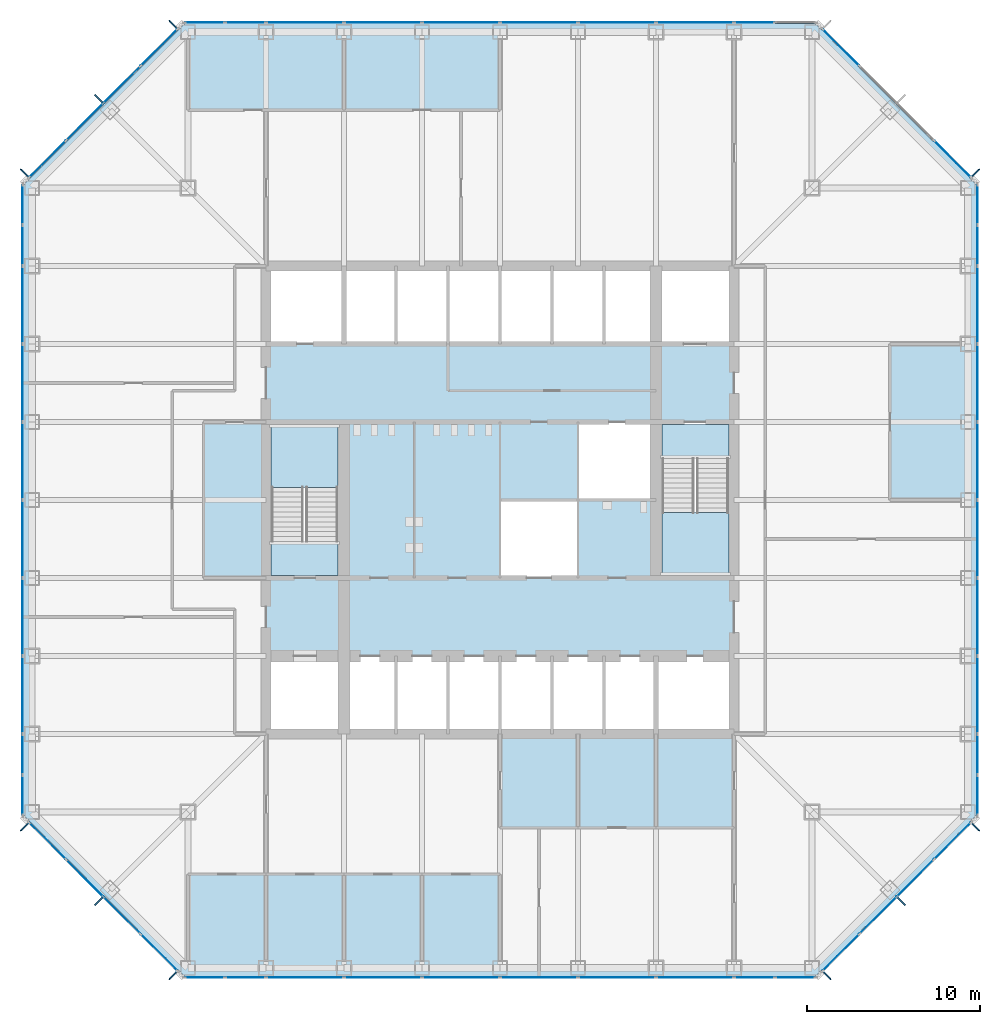
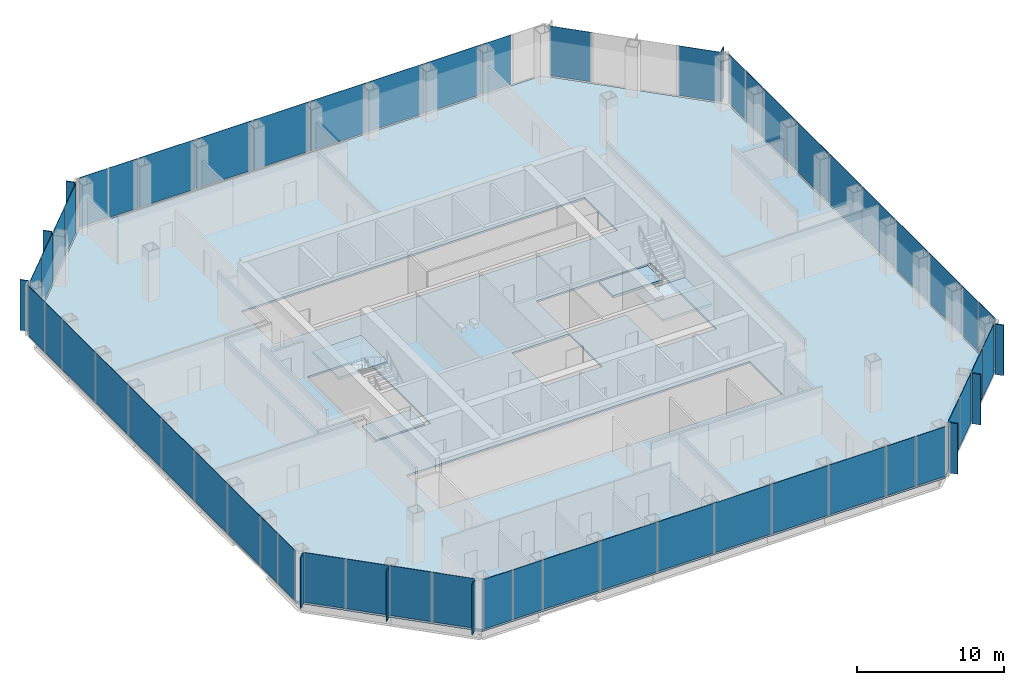
# One storey, part 7 of 12: 63 plates, 5 slabs, 10 elements without a shape of their own.
"""IFC4 building model written with IfcOpenShell, lengths in metres."""

from ifc_helpers import new_model, si_unit, direction, frame, origin, origin_2d, place, context, subcontext, project, spatial, polyline, rectangle, outline, extrude, material, layer, layer_set, type_object, element, aggregate, save


model = new_model("IFC4")

# Units and contexts
model_context = context("Model", 3, precision=1e-05, world=origin(), true_north=direction((0.0, 1.0)))
body_context = subcontext(model_context, "Body", "Model", "MODEL_VIEW")
ifc_project = project(units=[si_unit("LENGTHUNIT", "METRE"), si_unit("AREAUNIT", "SQUARE_METRE"), si_unit("VOLUMEUNIT", "CUBIC_METRE"), si_unit("PLANEANGLEUNIT", "RADIAN"), si_unit("MASSUNIT", "GRAM", prefix="KILO")], contexts=[model_context])

# Site, building, storey
site_placement = place(None, origin())
site = spatial("IfcSite", under=ifc_project, at=site_placement, CompositionType="ELEMENT")
building_placement = place(site_placement, origin())
building = spatial("IfcBuilding", under=site, at=building_placement, Name="Corais Broadcast Tower", CompositionType="ELEMENT")
storey_placement = place(building_placement, frame((0.0, 0.0, 100.39990234375)))
storey = spatial("IfcBuildingStorey", under=building, at=storey_placement, Name="L22", CompositionType="ELEMENT", Elevation=100.39990234375)

# Slab
ifc_material_1 = material(Name="Concrete C30/37", Category="concrete")
ifc_layer_1 = layer(ifc_material_1, 0.159912109375)
ifc_layer_set_1 = layer_set([ifc_layer_1], Name="Concrete C30/37")
slab_type_1 = type_object("IfcSlabType", Name="Composite floor slab 160", PredefinedType="FLOOR", material=ifc_layer_set_1)
slab_1_placement = place(storey_placement, frame((0.0, 0.0, -0.159912109375)))
element("IfcSlab", 1, at=slab_1_placement, inside=storey, type_object=slab_type_1, Name="S160 floor slab L22", PredefinedType="FLOOR", context=body_context, shape_type="SweptSolid", body=[
    extrude(outline(polyline([(8.80126953125, -0.47998046875), (-0.47998046875, 8.80126953125), (-0.47998046875, 45.19873046875), (8.80126953125, 54.47998046875), (45.19873046875, 54.47998046875), (54.47998046875, 45.19873046875), (54.47998046875, 8.80126953125), (45.19873046875, -0.47998046875), (8.80126953125, -0.47998046875)]), holes=[polyline([(13.5, 18.0), (40.5, 18.0), (40.5, 13.5), (13.5, 13.5), (13.5, 18.0)]), polyline([(13.5, 22.5), (13.5, 31.5), (18.0, 31.5), (18.0, 22.5), (13.5, 22.5)]), polyline([(13.5, 40.5), (40.5, 40.5), (40.5, 36.0), (13.5, 36.0), (13.5, 40.5)]), polyline([(27.0, 22.5), (27.0, 27.0), (31.4951171875, 27.0), (31.4951171875, 27.0048828125), (31.5, 27.0048828125), (31.5, 31.5), (40.5, 31.5), (40.5, 22.5), (36.0, 22.5), (36.0, 27.0), (31.5048828125, 27.0), (31.5048828125, 26.9951171875), (31.5, 26.9951171875), (31.5, 22.5), (27.0, 22.5)])]), origin(), (0.0, 0.0, 1.0), 0.159912109375),
])

# Curtain wall, plates
ifc_material_2 = material(Name="Aluminium and glass", Category="aluminium")
curtain_wall_type = type_object("IfcCurtainWallType", Name="Unitised fritted curtain wall CW1", PredefinedType="NOTDEFINED", material=ifc_material_2)
curtain_wall_1_placement = place(storey_placement, origin())
curtain_wall_1 = element("IfcCurtainWall", 2, at=curtain_wall_1_placement, inside=storey, type_object=curtain_wall_type, Name="CW1 curtain wall L22 1", PredefinedType="NOTDEFINED")
ifc_material_3 = material(Name="Ceramic-fritted laminated glass", Category="glass")
ifc_layer_2 = layer(ifc_material_3, 0.030029296875)
ifc_layer_set_2 = layer_set([ifc_layer_2], Name="Ceramic-fritted laminated glass")
plate_type_1 = type_object("IfcPlateType", Name="Fritted glass panel CW1", PredefinedType="CURTAIN_PANEL", material=ifc_layer_set_2)
plate_1_placement = place(storey_placement, frame((7.330322265625, 0.891845703125, 0.06494140625), z_axis=(0.0, 0.0, 1.0), x_axis=(-0.707106781187, 0.707106781187, 0.0)))
plate_1 = element("IfcPlate", 3, at=plate_1_placement, type_object=plate_type_1, Name="CW1 panel 1", PredefinedType="CURTAIN_PANEL", context=body_context, shape_type="SweptSolid", body=[
    extrude(rectangle(XDim=2.9482421875, YDim=0.030029296875, at=origin_2d()), origin(), (0.0, 0.0, 1.0), 4.135009765625),
])
plate_2_placement = place(storey_placement, frame((3.0341796875, 5.18798828125, 0.06494140625), z_axis=(0.0, 0.0, 1.0), x_axis=(-0.707106781187, 0.707106781187, 0.0)))
plate_2 = element("IfcPlate", 4, at=plate_2_placement, type_object=plate_type_1, Name="CW1 panel 3", PredefinedType="CURTAIN_PANEL", context=body_context, shape_type="SweptSolid", body=[
    extrude(rectangle(XDim=2.98095703125, YDim=0.030029296875, at=origin_2d()), origin(), (0.0, 0.0, 1.0), 4.135009765625),
])

curtain_wall_2_placement = place(storey_placement, origin())
curtain_wall_2 = element("IfcCurtainWall", 5, at=curtain_wall_2_placement, inside=storey, type_object=curtain_wall_type, Name="CW1 curtain wall L22 2", PredefinedType="NOTDEFINED")
plate_3_placement = place(storey_placement, frame((-0.550048828125, 9.970458984375, 0.06494140625), z_axis=(0.0, 0.0, 1.0), x_axis=(0.0, 1.0, 0.0)))
plate_3 = element("IfcPlate", 6, at=plate_3_placement, type_object=plate_type_1, Name="CW1 panel 1", PredefinedType="CURTAIN_PANEL", context=body_context, shape_type="SweptSolid", body=[
    extrude(rectangle(XDim=2.266357421875, YDim=0.030029296875, at=origin_2d()), origin(), (0.0, 0.0, 1.0), 4.135009765625),
])
plate_4_placement = place(storey_placement, frame((-0.550048828125, 15.75, 0.06494140625), z_axis=(0.0, 0.0, 1.0), x_axis=(0.0, 1.0, 0.0)))
plate_4 = element("IfcPlate", 7, at=plate_4_placement, type_object=plate_type_1, Name="CW1 panel 3", PredefinedType="CURTAIN_PANEL", context=body_context, shape_type="SweptSolid", body=[
    extrude(rectangle(XDim=4.43505859375, YDim=0.030029296875, at=origin_2d()), origin(), (0.0, 0.0, 1.0), 4.135009765625),
])
plate_5_placement = place(storey_placement, frame((-0.550048828125, 24.75, 0.06494140625), z_axis=(0.0, 0.0, 1.0), x_axis=(0.0, 1.0, 0.0)))
plate_5 = element("IfcPlate", 8, at=plate_5_placement, type_object=plate_type_1, Name="CW1 panel 5", PredefinedType="CURTAIN_PANEL", context=body_context, shape_type="SweptSolid", body=[
    extrude(rectangle(XDim=4.43505859375, YDim=0.030029296875, at=origin_2d()), origin(), (0.0, 0.0, 1.0), 4.135009765625),
])
plate_6_placement = place(storey_placement, frame((-0.550048828125, 33.75, 0.06494140625), z_axis=(0.0, 0.0, 1.0), x_axis=(0.0, 1.0, 0.0)))
plate_6 = element("IfcPlate", 9, at=plate_6_placement, type_object=plate_type_1, Name="CW1 panel 7", PredefinedType="CURTAIN_PANEL", context=body_context, shape_type="SweptSolid", body=[
    extrude(rectangle(XDim=4.43505859375, YDim=0.030029296875, at=origin_2d()), origin(), (0.0, 0.0, 1.0), 4.135009765625),
])
plate_7_placement = place(storey_placement, frame((-0.550048828125, 41.681884765625, 0.06494140625), z_axis=(0.0, 0.0, 1.0), x_axis=(0.0, 1.0, 0.0)))
plate_7 = element("IfcPlate", 10, at=plate_7_placement, type_object=plate_type_1, Name="CW1 panel 9", PredefinedType="CURTAIN_PANEL", context=body_context, shape_type="SweptSolid", body=[
    extrude(rectangle(XDim=2.298828125, YDim=0.030029296875, at=origin_2d()), origin(), (0.0, 0.0, 1.0), 4.135009765625),
])

curtain_wall_3_placement = place(storey_placement, origin())
curtain_wall_3 = element("IfcCurtainWall", 11, at=curtain_wall_3_placement, inside=storey, type_object=curtain_wall_type, Name="CW1 curtain wall L22 3", PredefinedType="NOTDEFINED")
plate_8_placement = place(storey_placement, frame((0.891845703125, 46.669677734375, 0.06494140625), z_axis=(0.0, 0.0, 1.0), x_axis=(0.707106781187, 0.707106781187, 0.0)))
plate_8 = element("IfcPlate", 12, at=plate_8_placement, type_object=plate_type_1, Name="CW1 panel 1", PredefinedType="CURTAIN_PANEL", context=body_context, shape_type="SweptSolid", body=[
    extrude(rectangle(XDim=2.9482421875, YDim=0.030029296875, at=origin_2d()), origin(), (0.0, 0.0, 1.0), 4.135009765625),
])
plate_9_placement = place(storey_placement, frame((5.18798828125, 50.9658203125, 0.06494140625), z_axis=(0.0, 0.0, 1.0), x_axis=(0.707106781187, 0.707106781187, 0.0)))
plate_9 = element("IfcPlate", 13, at=plate_9_placement, type_object=plate_type_1, Name="CW1 panel 3", PredefinedType="CURTAIN_PANEL", context=body_context, shape_type="SweptSolid", body=[
    extrude(rectangle(XDim=2.98095703125, YDim=0.030029296875, at=origin_2d()), origin(), (0.0, 0.0, 1.0), 4.135009765625),
])

curtain_wall_4_placement = place(storey_placement, origin())
curtain_wall_4 = element("IfcCurtainWall", 14, at=curtain_wall_4_placement, inside=storey, type_object=curtain_wall_type, Name="CW1 curtain wall L22 4", PredefinedType="NOTDEFINED")
plate_10_placement = place(storey_placement, frame((9.970458984375, 54.550048828125, 0.06494140625), z_axis=(0.0, 0.0, 1.0), x_axis=(1.0, 0.0, 0.0)))
plate_10 = element("IfcPlate", 15, at=plate_10_placement, type_object=plate_type_1, Name="CW1 panel 1", PredefinedType="CURTAIN_PANEL", context=body_context, shape_type="SweptSolid", body=[
    extrude(rectangle(XDim=2.266357421875, YDim=0.030029296875, at=origin_2d()), origin(), (0.0, 0.0, 1.0), 4.135009765625),
])
plate_11_placement = place(storey_placement, frame((15.75, 54.550048828125, 0.06494140625), z_axis=(0.0, 0.0, 1.0), x_axis=(1.0, 0.0, 0.0)))
plate_11 = element("IfcPlate", 16, at=plate_11_placement, type_object=plate_type_1, Name="CW1 panel 3", PredefinedType="CURTAIN_PANEL", context=body_context, shape_type="SweptSolid", body=[
    extrude(rectangle(XDim=4.43505859375, YDim=0.030029296875, at=origin_2d()), origin(), (0.0, 0.0, 1.0), 4.135009765625),
])
plate_12_placement = place(storey_placement, frame((24.75, 54.550048828125, 0.06494140625), z_axis=(0.0, 0.0, 1.0), x_axis=(1.0, 0.0, 0.0)))
plate_12 = element("IfcPlate", 17, at=plate_12_placement, type_object=plate_type_1, Name="CW1 panel 5", PredefinedType="CURTAIN_PANEL", context=body_context, shape_type="SweptSolid", body=[
    extrude(rectangle(XDim=4.43505859375, YDim=0.030029296875, at=origin_2d()), origin(), (0.0, 0.0, 1.0), 4.135009765625),
])
plate_13_placement = place(storey_placement, frame((33.75, 54.550048828125, 0.06494140625), z_axis=(0.0, 0.0, 1.0), x_axis=(1.0, 0.0, 0.0)))
plate_13 = element("IfcPlate", 18, at=plate_13_placement, type_object=plate_type_1, Name="CW1 panel 7", PredefinedType="CURTAIN_PANEL", context=body_context, shape_type="SweptSolid", body=[
    extrude(rectangle(XDim=4.43505859375, YDim=0.030029296875, at=origin_2d()), origin(), (0.0, 0.0, 1.0), 4.135009765625),
])
plate_14_placement = place(storey_placement, frame((41.681884765625, 54.550048828125, 0.06494140625), z_axis=(0.0, 0.0, 1.0), x_axis=(1.0, 0.0, 0.0)))
plate_14 = element("IfcPlate", 19, at=plate_14_placement, type_object=plate_type_1, Name="CW1 panel 9", PredefinedType="CURTAIN_PANEL", context=body_context, shape_type="SweptSolid", body=[
    extrude(rectangle(XDim=2.298828125, YDim=0.030029296875, at=origin_2d()), origin(), (0.0, 0.0, 1.0), 4.135009765625),
])

# Curtain wall, plate
curtain_wall_5_placement = place(storey_placement, origin())
curtain_wall_5 = element("IfcCurtainWall", 20, at=curtain_wall_5_placement, inside=storey, type_object=curtain_wall_type, Name="CW1 curtain wall L22 5", PredefinedType="NOTDEFINED")
plate_15_placement = place(storey_placement, frame((46.669677734375, 53.108154296875, 0.06494140625), z_axis=(0.0, 0.0, 1.0), x_axis=(0.707106781187, -0.707106781187, 0.0)))
plate_15 = element("IfcPlate", 21, at=plate_15_placement, type_object=plate_type_1, Name="CW1 panel 1", PredefinedType="CURTAIN_PANEL", context=body_context, shape_type="SweptSolid", body=[
    extrude(rectangle(XDim=2.9482421875, YDim=0.030029296875, at=origin_2d()), origin(), (0.0, 0.0, 1.0), 4.135009765625),
])

# Curtain wall, plates
curtain_wall_6_placement = place(storey_placement, origin())
curtain_wall_6 = element("IfcCurtainWall", 22, at=curtain_wall_6_placement, inside=storey, type_object=curtain_wall_type, Name="CW1 curtain wall L22 6", PredefinedType="NOTDEFINED")
plate_16_placement = place(storey_placement, frame((54.550048828125, 44.029541015625, 0.06494140625), z_axis=(0.0, 0.0, 1.0), x_axis=(0.0, -1.0, 0.0)))
plate_16 = element("IfcPlate", 23, at=plate_16_placement, type_object=plate_type_1, Name="CW1 panel 1", PredefinedType="CURTAIN_PANEL", context=body_context, shape_type="SweptSolid", body=[
    extrude(rectangle(XDim=2.266357421875, YDim=0.030029296875, at=origin_2d()), origin(), (0.0, 0.0, 1.0), 4.135009765625),
])
plate_17_placement = place(storey_placement, frame((54.550048828125, 38.25, 0.06494140625), z_axis=(0.0, 0.0, 1.0), x_axis=(0.0, -1.0, 0.0)))
plate_17 = element("IfcPlate", 24, at=plate_17_placement, type_object=plate_type_1, Name="CW1 panel 3", PredefinedType="CURTAIN_PANEL", context=body_context, shape_type="SweptSolid", body=[
    extrude(rectangle(XDim=4.43505859375, YDim=0.030029296875, at=origin_2d()), origin(), (0.0, 0.0, 1.0), 4.135009765625),
])
plate_18_placement = place(storey_placement, frame((54.550048828125, 29.25, 0.06494140625), z_axis=(0.0, 0.0, 1.0), x_axis=(0.0, -1.0, 0.0)))
plate_18 = element("IfcPlate", 25, at=plate_18_placement, type_object=plate_type_1, Name="CW1 panel 5", PredefinedType="CURTAIN_PANEL", context=body_context, shape_type="SweptSolid", body=[
    extrude(rectangle(XDim=4.43505859375, YDim=0.030029296875, at=origin_2d()), origin(), (0.0, 0.0, 1.0), 4.135009765625),
])
plate_19_placement = place(storey_placement, frame((54.550048828125, 20.25, 0.06494140625), z_axis=(0.0, 0.0, 1.0), x_axis=(0.0, -1.0, 0.0)))
plate_19 = element("IfcPlate", 26, at=plate_19_placement, type_object=plate_type_1, Name="CW1 panel 7", PredefinedType="CURTAIN_PANEL", context=body_context, shape_type="SweptSolid", body=[
    extrude(rectangle(XDim=4.43505859375, YDim=0.030029296875, at=origin_2d()), origin(), (0.0, 0.0, 1.0), 4.135009765625),
])
plate_20_placement = place(storey_placement, frame((54.550048828125, 12.318115234375, 0.06494140625), z_axis=(0.0, 0.0, 1.0), x_axis=(0.0, -1.0, 0.0)))
plate_20 = element("IfcPlate", 27, at=plate_20_placement, type_object=plate_type_1, Name="CW1 panel 9", PredefinedType="CURTAIN_PANEL", context=body_context, shape_type="SweptSolid", body=[
    extrude(rectangle(XDim=2.298828125, YDim=0.030029296875, at=origin_2d()), origin(), (0.0, 0.0, 1.0), 4.135009765625),
])

curtain_wall_7_placement = place(storey_placement, origin())
curtain_wall_7 = element("IfcCurtainWall", 28, at=curtain_wall_7_placement, inside=storey, type_object=curtain_wall_type, Name="CW1 curtain wall L22 7", PredefinedType="NOTDEFINED")
plate_21_placement = place(storey_placement, frame((53.108154296875, 7.330322265625, 0.06494140625), z_axis=(0.0, 0.0, 1.0), x_axis=(-0.707106781187, -0.707106781187, 0.0)))
plate_21 = element("IfcPlate", 29, at=plate_21_placement, type_object=plate_type_1, Name="CW1 panel 1", PredefinedType="CURTAIN_PANEL", context=body_context, shape_type="SweptSolid", body=[
    extrude(rectangle(XDim=2.9482421875, YDim=0.030029296875, at=origin_2d()), origin(), (0.0, 0.0, 1.0), 4.135009765625),
])
plate_22_placement = place(storey_placement, frame((48.81201171875, 3.0341796875, 0.06494140625), z_axis=(0.0, 0.0, 1.0), x_axis=(-0.707106781187, -0.707106781187, 0.0)))
plate_22 = element("IfcPlate", 30, at=plate_22_placement, type_object=plate_type_1, Name="CW1 panel 3", PredefinedType="CURTAIN_PANEL", context=body_context, shape_type="SweptSolid", body=[
    extrude(rectangle(XDim=2.98095703125, YDim=0.030029296875, at=origin_2d()), origin(), (0.0, 0.0, 1.0), 4.135009765625),
])

curtain_wall_8_placement = place(storey_placement, origin())
curtain_wall_8 = element("IfcCurtainWall", 31, at=curtain_wall_8_placement, inside=storey, type_object=curtain_wall_type, Name="CW1 curtain wall L22 8", PredefinedType="NOTDEFINED")
plate_23_placement = place(storey_placement, frame((44.029541015625, -0.550048828125, 0.06494140625), z_axis=(0.0, 0.0, 1.0), x_axis=(-1.0, 0.0, 0.0)))
plate_23 = element("IfcPlate", 32, at=plate_23_placement, type_object=plate_type_1, Name="CW1 panel 1", PredefinedType="CURTAIN_PANEL", context=body_context, shape_type="SweptSolid", body=[
    extrude(rectangle(XDim=2.266357421875, YDim=0.030029296875, at=origin_2d()), origin(), (0.0, 0.0, 1.0), 4.135009765625),
])
plate_24_placement = place(storey_placement, frame((38.25, -0.550048828125, 0.06494140625), z_axis=(0.0, 0.0, 1.0), x_axis=(-1.0, 0.0, 0.0)))
plate_24 = element("IfcPlate", 33, at=plate_24_placement, type_object=plate_type_1, Name="CW1 panel 3", PredefinedType="CURTAIN_PANEL", context=body_context, shape_type="SweptSolid", body=[
    extrude(rectangle(XDim=4.43505859375, YDim=0.030029296875, at=origin_2d()), origin(), (0.0, 0.0, 1.0), 4.135009765625),
])
plate_25_placement = place(storey_placement, frame((29.25, -0.550048828125, 0.06494140625), z_axis=(0.0, 0.0, 1.0), x_axis=(-1.0, 0.0, 0.0)))
plate_25 = element("IfcPlate", 34, at=plate_25_placement, type_object=plate_type_1, Name="CW1 panel 5", PredefinedType="CURTAIN_PANEL", context=body_context, shape_type="SweptSolid", body=[
    extrude(rectangle(XDim=4.43505859375, YDim=0.030029296875, at=origin_2d()), origin(), (0.0, 0.0, 1.0), 4.135009765625),
])
plate_26_placement = place(storey_placement, frame((20.25, -0.550048828125, 0.06494140625), z_axis=(0.0, 0.0, 1.0), x_axis=(-1.0, 0.0, 0.0)))
plate_26 = element("IfcPlate", 35, at=plate_26_placement, type_object=plate_type_1, Name="CW1 panel 7", PredefinedType="CURTAIN_PANEL", context=body_context, shape_type="SweptSolid", body=[
    extrude(rectangle(XDim=4.43505859375, YDim=0.030029296875, at=origin_2d()), origin(), (0.0, 0.0, 1.0), 4.135009765625),
])
plate_27_placement = place(storey_placement, frame((12.318115234375, -0.550048828125, 0.06494140625), z_axis=(0.0, 0.0, 1.0), x_axis=(-1.0, 0.0, 0.0)))
plate_27 = element("IfcPlate", 36, at=plate_27_placement, type_object=plate_type_1, Name="CW1 panel 9", PredefinedType="CURTAIN_PANEL", context=body_context, shape_type="SweptSolid", body=[
    extrude(rectangle(XDim=2.298828125, YDim=0.030029296875, at=origin_2d()), origin(), (0.0, 0.0, 1.0), 4.135009765625),
])

# Plate
ifc_material_4 = material(Name="Clear laminated glass", Category="glass")
ifc_layer_3 = layer(ifc_material_4, 0.033935546875)
ifc_layer_set_3 = layer_set([ifc_layer_3], Name="Clear laminated glass")
plate_type_2 = type_object("IfcPlateType", Name="Operable glass panel CW1", PredefinedType="CURTAIN_PANEL", material=ifc_layer_set_3)
plate_28_placement = place(storey_placement, frame((5.18798828125, 3.0341796875, 0.06494140625), z_axis=(0.0, 0.0, 1.0), x_axis=(-0.707106781187, 0.707106781187, 0.0)))
plate_28 = element("IfcPlate", 37, at=plate_28_placement, type_object=plate_type_2, Name="CW1 operable panel 2", PredefinedType="CURTAIN_PANEL", context=body_context, shape_type="SweptSolid", body=[
    extrude(rectangle(XDim=2.98095703125, YDim=0.033935546875, at=origin_2d()), origin(), (0.0, 0.0, 1.0), 4.135009765625),
])

plate_29_placement = place(storey_placement, frame((0.89208984375, 7.330322265625, 0.06494140625), z_axis=(0.0, 0.0, 1.0), x_axis=(-0.707106781187, 0.707106781187, 0.0)))
plate_29 = element("IfcPlate", 38, at=plate_29_placement, type_object=plate_type_2, Name="CW1 operable panel 4", PredefinedType="CURTAIN_PANEL", context=body_context, shape_type="SweptSolid", body=[
    extrude(rectangle(XDim=2.948486328125, YDim=0.033935546875, at=origin_2d()), origin(), (0.0, 0.0, 1.0), 4.135009765625),
])

aggregate(curtain_wall_1, [plate_1, plate_28, plate_2, plate_29])

plate_30_placement = place(storey_placement, frame((-0.550048828125, 12.318115234375, 0.06494140625), z_axis=(0.0, 0.0, 1.0), x_axis=(0.0, 1.0, 0.0)))
plate_30 = element("IfcPlate", 39, at=plate_30_placement, type_object=plate_type_2, Name="CW1 operable panel 2", PredefinedType="CURTAIN_PANEL", context=body_context, shape_type="SweptSolid", body=[
    extrude(rectangle(XDim=2.298828125, YDim=0.033935546875, at=origin_2d()), origin(), (0.0, 0.0, 1.0), 4.135009765625),
])

plate_31_placement = place(storey_placement, frame((-0.550048828125, 20.25, 0.06494140625), z_axis=(0.0, 0.0, 1.0), x_axis=(0.0, 1.0, 0.0)))
plate_31 = element("IfcPlate", 40, at=plate_31_placement, type_object=plate_type_2, Name="CW1 operable panel 4", PredefinedType="CURTAIN_PANEL", context=body_context, shape_type="SweptSolid", body=[
    extrude(rectangle(XDim=4.43505859375, YDim=0.033935546875, at=origin_2d()), origin(), (0.0, 0.0, 1.0), 4.135009765625),
])

plate_32_placement = place(storey_placement, frame((-0.550048828125, 29.25, 0.06494140625), z_axis=(0.0, 0.0, 1.0), x_axis=(0.0, 1.0, 0.0)))
plate_32 = element("IfcPlate", 41, at=plate_32_placement, type_object=plate_type_2, Name="CW1 operable panel 6", PredefinedType="CURTAIN_PANEL", context=body_context, shape_type="SweptSolid", body=[
    extrude(rectangle(XDim=4.43505859375, YDim=0.033935546875, at=origin_2d()), origin(), (0.0, 0.0, 1.0), 4.135009765625),
])

plate_33_placement = place(storey_placement, frame((-0.550048828125, 38.25, 0.06494140625), z_axis=(0.0, 0.0, 1.0), x_axis=(0.0, 1.0, 0.0)))
plate_33 = element("IfcPlate", 42, at=plate_33_placement, type_object=plate_type_2, Name="CW1 operable panel 8", PredefinedType="CURTAIN_PANEL", context=body_context, shape_type="SweptSolid", body=[
    extrude(rectangle(XDim=4.43505859375, YDim=0.033935546875, at=origin_2d()), origin(), (0.0, 0.0, 1.0), 4.135009765625),
])

plate_34_placement = place(storey_placement, frame((-0.550048828125, 44.029541015625, 0.06494140625), z_axis=(0.0, 0.0, 1.0), x_axis=(0.0, 1.0, 0.0)))
plate_34 = element("IfcPlate", 43, at=plate_34_placement, type_object=plate_type_2, Name="CW1 operable panel 10", PredefinedType="CURTAIN_PANEL", context=body_context, shape_type="SweptSolid", body=[
    extrude(rectangle(XDim=2.266357421875, YDim=0.033935546875, at=origin_2d()), origin(), (0.0, 0.0, 1.0), 4.135009765625),
])

aggregate(curtain_wall_2, [plate_3, plate_30, plate_4, plate_31, plate_5, plate_32, plate_6, plate_33, plate_7, plate_34])

plate_35_placement = place(storey_placement, frame((3.0341796875, 48.81201171875, 0.06494140625), z_axis=(0.0, 0.0, 1.0), x_axis=(0.707106781187, 0.707106781187, 0.0)))
plate_35 = element("IfcPlate", 44, at=plate_35_placement, type_object=plate_type_2, Name="CW1 operable panel 2", PredefinedType="CURTAIN_PANEL", context=body_context, shape_type="SweptSolid", body=[
    extrude(rectangle(XDim=2.98095703125, YDim=0.033935546875, at=origin_2d()), origin(), (0.0, 0.0, 1.0), 4.135009765625),
])

plate_36_placement = place(storey_placement, frame((7.330322265625, 53.10791015625, 0.06494140625), z_axis=(0.0, 0.0, 1.0), x_axis=(0.707106781187, 0.707106781187, 0.0)))
plate_36 = element("IfcPlate", 45, at=plate_36_placement, type_object=plate_type_2, Name="CW1 operable panel 4", PredefinedType="CURTAIN_PANEL", context=body_context, shape_type="SweptSolid", body=[
    extrude(rectangle(XDim=2.948486328125, YDim=0.033935546875, at=origin_2d()), origin(), (0.0, 0.0, 1.0), 4.135009765625),
])

aggregate(curtain_wall_3, [plate_8, plate_35, plate_9, plate_36])

plate_37_placement = place(storey_placement, frame((12.318115234375, 54.550048828125, 0.06494140625), z_axis=(0.0, 0.0, 1.0), x_axis=(1.0, 0.0, 0.0)))
plate_37 = element("IfcPlate", 46, at=plate_37_placement, type_object=plate_type_2, Name="CW1 operable panel 2", PredefinedType="CURTAIN_PANEL", context=body_context, shape_type="SweptSolid", body=[
    extrude(rectangle(XDim=2.298828125, YDim=0.033935546875, at=origin_2d()), origin(), (0.0, 0.0, 1.0), 4.135009765625),
])

plate_38_placement = place(storey_placement, frame((20.25, 54.550048828125, 0.06494140625), z_axis=(0.0, 0.0, 1.0), x_axis=(1.0, 0.0, 0.0)))
plate_38 = element("IfcPlate", 47, at=plate_38_placement, type_object=plate_type_2, Name="CW1 operable panel 4", PredefinedType="CURTAIN_PANEL", context=body_context, shape_type="SweptSolid", body=[
    extrude(rectangle(XDim=4.43505859375, YDim=0.033935546875, at=origin_2d()), origin(), (0.0, 0.0, 1.0), 4.135009765625),
])

plate_39_placement = place(storey_placement, frame((29.25, 54.550048828125, 0.06494140625), z_axis=(0.0, 0.0, 1.0), x_axis=(1.0, 0.0, 0.0)))
plate_39 = element("IfcPlate", 48, at=plate_39_placement, type_object=plate_type_2, Name="CW1 operable panel 6", PredefinedType="CURTAIN_PANEL", context=body_context, shape_type="SweptSolid", body=[
    extrude(rectangle(XDim=4.43505859375, YDim=0.033935546875, at=origin_2d()), origin(), (0.0, 0.0, 1.0), 4.135009765625),
])

plate_40_placement = place(storey_placement, frame((38.25, 54.550048828125, 0.06494140625), z_axis=(0.0, 0.0, 1.0), x_axis=(1.0, 0.0, 0.0)))
plate_40 = element("IfcPlate", 49, at=plate_40_placement, type_object=plate_type_2, Name="CW1 operable panel 8", PredefinedType="CURTAIN_PANEL", context=body_context, shape_type="SweptSolid", body=[
    extrude(rectangle(XDim=4.43505859375, YDim=0.033935546875, at=origin_2d()), origin(), (0.0, 0.0, 1.0), 4.135009765625),
])

aggregate(curtain_wall_4, [plate_10, plate_37, plate_11, plate_38, plate_12, plate_39, plate_13, plate_40, plate_14])

plate_41_placement = place(storey_placement, frame((53.10791015625, 46.669677734375, 0.06494140625), z_axis=(0.0, 0.0, 1.0), x_axis=(0.707106781187, -0.707106781187, 0.0)))
plate_41 = element("IfcPlate", 50, at=plate_41_placement, type_object=plate_type_2, Name="CW1 operable panel 4", PredefinedType="CURTAIN_PANEL", context=body_context, shape_type="SweptSolid", body=[
    extrude(rectangle(XDim=2.948486328125, YDim=0.033935546875, at=origin_2d()), origin(), (0.0, 0.0, 1.0), 4.135009765625),
])

aggregate(curtain_wall_5, [plate_15, plate_41])

plate_42_placement = place(storey_placement, frame((54.550048828125, 41.681884765625, 0.06494140625), z_axis=(0.0, 0.0, 1.0), x_axis=(0.0, -1.0, 0.0)))
plate_42 = element("IfcPlate", 51, at=plate_42_placement, type_object=plate_type_2, Name="CW1 operable panel 2", PredefinedType="CURTAIN_PANEL", context=body_context, shape_type="SweptSolid", body=[
    extrude(rectangle(XDim=2.298828125, YDim=0.033935546875, at=origin_2d()), origin(), (0.0, 0.0, 1.0), 4.135009765625),
])

plate_43_placement = place(storey_placement, frame((54.550048828125, 33.75, 0.06494140625), z_axis=(0.0, 0.0, 1.0), x_axis=(0.0, -1.0, 0.0)))
plate_43 = element("IfcPlate", 52, at=plate_43_placement, type_object=plate_type_2, Name="CW1 operable panel 4", PredefinedType="CURTAIN_PANEL", context=body_context, shape_type="SweptSolid", body=[
    extrude(rectangle(XDim=4.43505859375, YDim=0.033935546875, at=origin_2d()), origin(), (0.0, 0.0, 1.0), 4.135009765625),
])

plate_44_placement = place(storey_placement, frame((54.550048828125, 24.75, 0.06494140625), z_axis=(0.0, 0.0, 1.0), x_axis=(0.0, -1.0, 0.0)))
plate_44 = element("IfcPlate", 53, at=plate_44_placement, type_object=plate_type_2, Name="CW1 operable panel 6", PredefinedType="CURTAIN_PANEL", context=body_context, shape_type="SweptSolid", body=[
    extrude(rectangle(XDim=4.43505859375, YDim=0.033935546875, at=origin_2d()), origin(), (0.0, 0.0, 1.0), 4.135009765625),
])

plate_45_placement = place(storey_placement, frame((54.550048828125, 15.75, 0.06494140625), z_axis=(0.0, 0.0, 1.0), x_axis=(0.0, -1.0, 0.0)))
plate_45 = element("IfcPlate", 54, at=plate_45_placement, type_object=plate_type_2, Name="CW1 operable panel 8", PredefinedType="CURTAIN_PANEL", context=body_context, shape_type="SweptSolid", body=[
    extrude(rectangle(XDim=4.43505859375, YDim=0.033935546875, at=origin_2d()), origin(), (0.0, 0.0, 1.0), 4.135009765625),
])

plate_46_placement = place(storey_placement, frame((54.550048828125, 9.970458984375, 0.06494140625), z_axis=(0.0, 0.0, 1.0), x_axis=(0.0, -1.0, 0.0)))
plate_46 = element("IfcPlate", 55, at=plate_46_placement, type_object=plate_type_2, Name="CW1 operable panel 10", PredefinedType="CURTAIN_PANEL", context=body_context, shape_type="SweptSolid", body=[
    extrude(rectangle(XDim=2.266357421875, YDim=0.033935546875, at=origin_2d()), origin(), (0.0, 0.0, 1.0), 4.135009765625),
])

aggregate(curtain_wall_6, [plate_16, plate_42, plate_17, plate_43, plate_18, plate_44, plate_19, plate_45, plate_20, plate_46])

plate_47_placement = place(storey_placement, frame((50.9658203125, 5.18798828125, 0.06494140625), z_axis=(0.0, 0.0, 1.0), x_axis=(-0.707106781187, -0.707106781187, 0.0)))
plate_47 = element("IfcPlate", 56, at=plate_47_placement, type_object=plate_type_2, Name="CW1 operable panel 2", PredefinedType="CURTAIN_PANEL", context=body_context, shape_type="SweptSolid", body=[
    extrude(rectangle(XDim=2.98095703125, YDim=0.033935546875, at=origin_2d()), origin(), (0.0, 0.0, 1.0), 4.135009765625),
])

plate_48_placement = place(storey_placement, frame((46.669677734375, 0.89208984375, 0.06494140625), z_axis=(0.0, 0.0, 1.0), x_axis=(-0.707106781187, -0.707106781187, 0.0)))
plate_48 = element("IfcPlate", 57, at=plate_48_placement, type_object=plate_type_2, Name="CW1 operable panel 4", PredefinedType="CURTAIN_PANEL", context=body_context, shape_type="SweptSolid", body=[
    extrude(rectangle(XDim=2.948486328125, YDim=0.033935546875, at=origin_2d()), origin(), (0.0, 0.0, 1.0), 4.135009765625),
])

aggregate(curtain_wall_7, [plate_21, plate_47, plate_22, plate_48])

plate_49_placement = place(storey_placement, frame((41.681884765625, -0.550048828125, 0.06494140625), z_axis=(0.0, 0.0, 1.0), x_axis=(-1.0, 0.0, 0.0)))
plate_49 = element("IfcPlate", 58, at=plate_49_placement, type_object=plate_type_2, Name="CW1 operable panel 2", PredefinedType="CURTAIN_PANEL", context=body_context, shape_type="SweptSolid", body=[
    extrude(rectangle(XDim=2.298828125, YDim=0.033935546875, at=origin_2d()), origin(), (0.0, 0.0, 1.0), 4.135009765625),
])

plate_50_placement = place(storey_placement, frame((33.75, -0.550048828125, 0.06494140625), z_axis=(0.0, 0.0, 1.0), x_axis=(-1.0, 0.0, 0.0)))
plate_50 = element("IfcPlate", 59, at=plate_50_placement, type_object=plate_type_2, Name="CW1 operable panel 4", PredefinedType="CURTAIN_PANEL", context=body_context, shape_type="SweptSolid", body=[
    extrude(rectangle(XDim=4.43505859375, YDim=0.033935546875, at=origin_2d()), origin(), (0.0, 0.0, 1.0), 4.135009765625),
])

plate_51_placement = place(storey_placement, frame((24.75, -0.550048828125, 0.06494140625), z_axis=(0.0, 0.0, 1.0), x_axis=(-1.0, 0.0, 0.0)))
plate_51 = element("IfcPlate", 60, at=plate_51_placement, type_object=plate_type_2, Name="CW1 operable panel 6", PredefinedType="CURTAIN_PANEL", context=body_context, shape_type="SweptSolid", body=[
    extrude(rectangle(XDim=4.43505859375, YDim=0.033935546875, at=origin_2d()), origin(), (0.0, 0.0, 1.0), 4.135009765625),
])

plate_52_placement = place(storey_placement, frame((15.75, -0.550048828125, 0.06494140625), z_axis=(0.0, 0.0, 1.0), x_axis=(-1.0, 0.0, 0.0)))
plate_52 = element("IfcPlate", 61, at=plate_52_placement, type_object=plate_type_2, Name="CW1 operable panel 8", PredefinedType="CURTAIN_PANEL", context=body_context, shape_type="SweptSolid", body=[
    extrude(rectangle(XDim=4.43505859375, YDim=0.033935546875, at=origin_2d()), origin(), (0.0, 0.0, 1.0), 4.135009765625),
])

plate_53_placement = place(storey_placement, frame((9.970458984375, -0.550048828125, 0.06494140625), z_axis=(0.0, 0.0, 1.0), x_axis=(-1.0, 0.0, 0.0)))
plate_53 = element("IfcPlate", 62, at=plate_53_placement, type_object=plate_type_2, Name="CW1 operable panel 10", PredefinedType="CURTAIN_PANEL", context=body_context, shape_type="SweptSolid", body=[
    extrude(rectangle(XDim=2.266357421875, YDim=0.033935546875, at=origin_2d()), origin(), (0.0, 0.0, 1.0), 4.135009765625),
])

aggregate(curtain_wall_8, [plate_23, plate_49, plate_24, plate_50, plate_25, plate_51, plate_26, plate_52, plate_27, plate_53])

# Stair, slabs
ifc_material_5 = material(Name="Concrete C30/37", Category="concrete")
stair_type = type_object("IfcStairType", Name="Half-turn stair 4200", PredefinedType="HALF_TURN_STAIR", material=ifc_material_5)
stair_1_placement = place(storey_placement, origin())
stair_1 = element("IfcStair", 63, at=stair_1_placement, inside=storey, type_object=stair_type, Name="Stair A L22", PredefinedType="HALF_TURN_STAIR")
ifc_material_6 = material(Name="Concrete C30/37", Category="concrete")
ifc_layer_4 = layer(ifc_material_6, 0.199951171875)
ifc_layer_set_4 = layer_set([ifc_layer_4], Name="Concrete C30/37")
slab_type_2 = type_object("IfcSlabType", Name="Stair landing 200", PredefinedType="LANDING", material=ifc_layer_set_4)
slab_2_placement = place(storey_placement, frame((0.0, 0.0, -0.199951171875)))
slab_2 = element("IfcSlab", 64, at=slab_2_placement, type_object=slab_type_2, Name="STA landing 1", PredefinedType="LANDING", context=body_context, shape_type="SweptSolid", body=[
    extrude(outline(polyline([(13.800048828125, 22.64990234375), (17.64990234375, 22.64990234375), (17.64990234375, 24.60009765625), (13.800048828125, 24.60009765625), (13.800048828125, 22.64990234375)])), origin(), (0.0, 0.0, 1.0), 0.199951171875),
])
slab_3_placement = place(storey_placement, frame((0.0, 0.0, 1.900146484375)))
slab_3 = element("IfcSlab", 65, at=slab_3_placement, type_object=slab_type_2, Name="STA landing 2", PredefinedType="LANDING", context=body_context, shape_type="SweptSolid", body=[
    extrude(outline(polyline([(13.800048828125, 27.735107421875), (17.64990234375, 27.735107421875), (17.64990234375, 31.35009765625), (13.800048828125, 31.35009765625), (13.800048828125, 27.735107421875)])), origin(), (0.0, 0.0, 1.0), 0.199951171875),
])
aggregate(stair_1, [slab_2, slab_3])

stair_2_placement = place(storey_placement, origin())
stair_2 = element("IfcStair", 66, at=stair_2_placement, inside=storey, type_object=stair_type, Name="Stair B L22", PredefinedType="HALF_TURN_STAIR")
slab_4_placement = place(storey_placement, frame((0.0, 0.0, -0.199951171875)))
slab_4 = element("IfcSlab", 67, at=slab_4_placement, type_object=slab_type_2, Name="STB landing 1", PredefinedType="LANDING", context=body_context, shape_type="SweptSolid", body=[
    extrude(outline(polyline([(36.35009765625, 29.39990234375), (40.199951171875, 29.39990234375), (40.199951171875, 31.35009765625), (36.35009765625, 31.35009765625), (36.35009765625, 29.39990234375)])), origin(), (0.0, 0.0, 1.0), 0.199951171875),
])
slab_5_placement = place(storey_placement, frame((0.0, 0.0, 1.900146484375)))
slab_5 = element("IfcSlab", 68, at=slab_5_placement, type_object=slab_type_2, Name="STB landing 2", PredefinedType="LANDING", context=body_context, shape_type="SweptSolid", body=[
    extrude(outline(polyline([(36.35009765625, 22.64990234375), (40.199951171875, 22.64990234375), (40.199951171875, 26.264892578125), (36.35009765625, 26.264892578125), (36.35009765625, 22.64990234375)])), origin(), (0.0, 0.0, 1.0), 0.199951171875),
])
aggregate(stair_2, [slab_4, slab_5])

# Plates
ifc_material_7 = material(Name="Granite stone cladding", Category="masonry")
ifc_layer_5 = layer(ifc_material_7, 0.080078125)
ifc_layer_set_5 = layer_set([ifc_layer_5], Name="Granite stone cladding")
plate_type_3 = type_object("IfcPlateType", Name="Stone screen fin 80x600", PredefinedType="USERDEFINED", material=ifc_layer_set_5)
for number, where, z_axis, x_axis, name in (
    (69, (8.114990234375, -0.4541015625, 0.0), (0.0, 0.0, 1.0), (-0.707106781187, 0.707106781187, 0.0), "SF1 stone screen fin L22"),
    (70, (3.830322265625, 3.830322265625, 0.0), (0.0, 0.0, 1.0), (-0.707106781187, 0.707106781187, 0.0), "SF1 stone screen fin L22"),
    (71, (-0.4541015625, 8.114990234375, 0.0), (0.0, 0.0, 1.0), (-0.707106781187, 0.707106781187, 0.0), "SF1 stone screen fin L22"),
    (72, (-0.4541015625, 45.885009765625, 0.0), (0.0, 0.0, 1.0), (0.707106781187, 0.707106781187, 0.0), "SF1 stone screen fin L22"),
    (73, (3.830322265625, 50.169677734375, 0.0), (0.0, 0.0, 1.0), (0.707106781187, 0.707106781187, 0.0), "SF1 stone screen fin L22"),
    (74, (8.114990234375, 54.4541015625, 0.0), (0.0, 0.0, 1.0), (0.707106781187, 0.707106781187, 0.0), "SF1 stone screen fin L22"),
    (75, (54.4541015625, 45.885009765625, 0.0), (0.0, 0.0, 1.0), (0.707106781187, -0.707106781187, 0.0), "SF1 stone screen fin L22"),
    (76, (54.4541015625, 8.114990234375, 0.0), (0.0, 0.0, 1.0), (-0.707106781187, -0.707106781187, 0.0), "SF1 stone screen fin L22"),
    (77, (50.169677734375, 3.830322265625, 0.0), (0.0, 0.0, 1.0), (-0.707106781187, -0.707106781187, 0.0), "SF1 stone screen fin L22"),
    (78, (45.885009765625, -0.4541015625, 0.0), (0.0, 0.0, 1.0), (-0.707106781187, -0.707106781187, 0.0), "SF1 stone screen fin L22"),
):
    element("IfcPlate", number, at=place(storey_placement, frame(where, z_axis=z_axis, x_axis=x_axis)), inside=storey, type_object=plate_type_3, Name=name, ObjectType="STONE SCREEN FIN", PredefinedType="USERDEFINED", context=body_context, shape_type="SweptSolid", body=[
        extrude(rectangle(XDim=0.080078125, YDim=0.60009765625, at=origin_2d()), origin(), (0.0, 0.0, 1.0), 4.199951171875),
    ])

save(model, "model.ifc")
